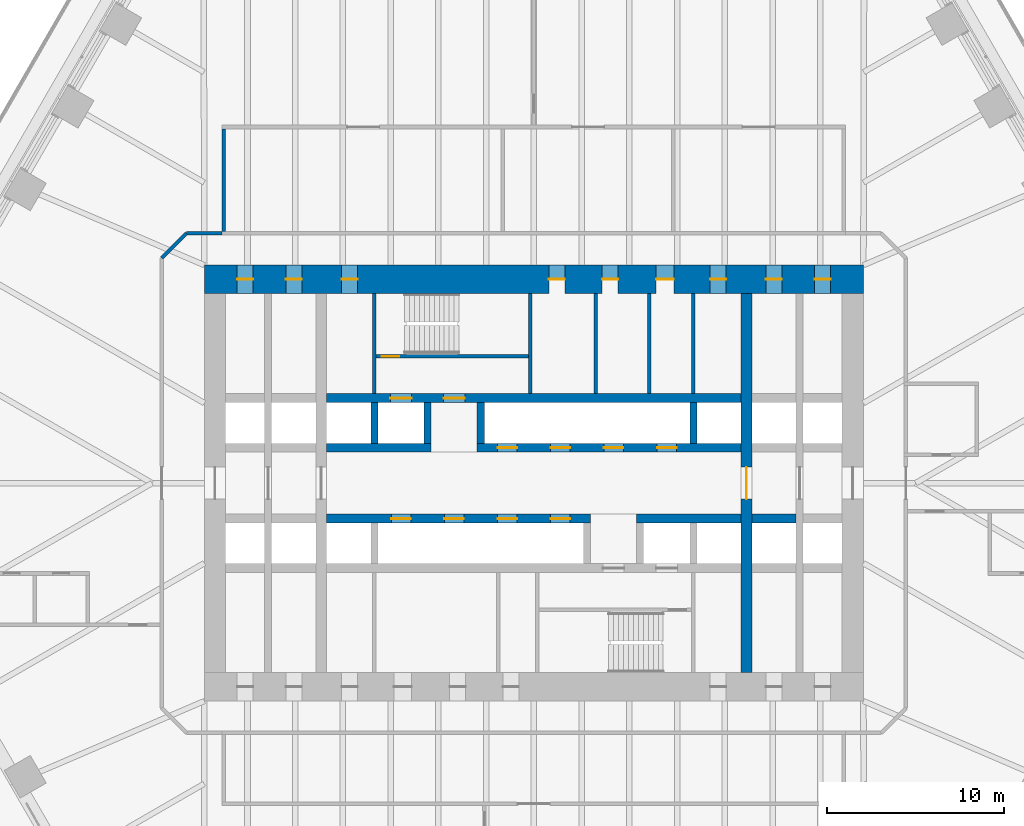
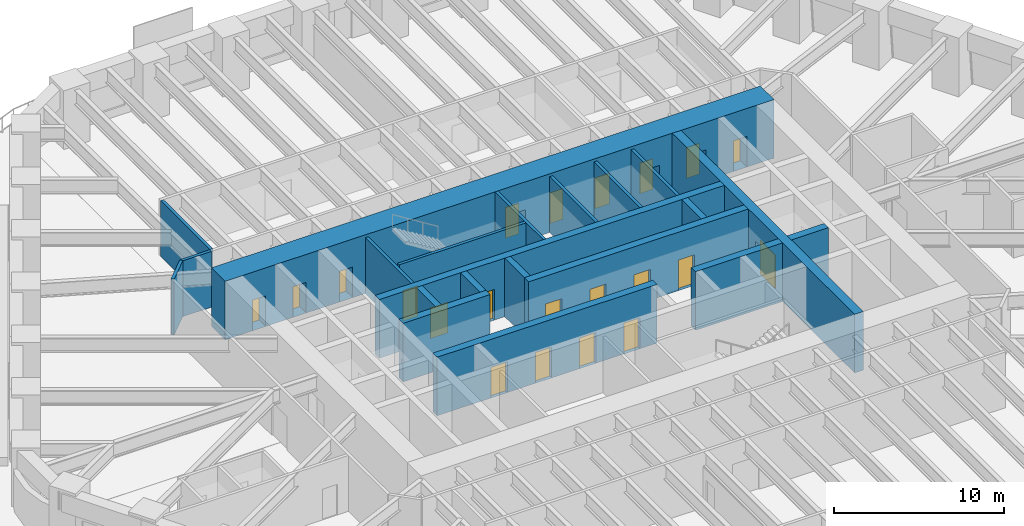
# One storey, part 18 of 23: 21 doors, 21 walls, 21 openings.
"""IFC4 building model written with IfcOpenShell, lengths in metres."""

from ifc_helpers import new_model, si_unit, direction, frame, frame_2d, origin, place, context, subcontext, project, spatial, rectangle, extrude, material, layer, layer_set, type_object, element, fill, save


model = new_model("IFC4")

# Units and contexts
model_context = context("Model", 3, precision=1e-05, world=origin(), true_north=direction((0.0, 1.0)))
body_context = subcontext(model_context, "Body", "Model", "MODEL_VIEW")
ifc_project = project(units=[si_unit("LENGTHUNIT", "METRE"), si_unit("AREAUNIT", "SQUARE_METRE"), si_unit("VOLUMEUNIT", "CUBIC_METRE"), si_unit("PLANEANGLEUNIT", "RADIAN"), si_unit("MASSUNIT", "GRAM", prefix="KILO")], contexts=[model_context])

# Site, building, storey
site_placement = place(None, origin())
site = spatial("IfcSite", under=ifc_project, at=site_placement, CompositionType="ELEMENT")
building_placement = place(site_placement, origin())
building = spatial("IfcBuilding", under=site, at=building_placement, Name="Tarfa Lantern Tower", CompositionType="ELEMENT")
storey_placement = place(building_placement, frame((0.0, 0.0, 99.10009765625)))
storey = spatial("IfcBuildingStorey", under=building, at=storey_placement, Name="L22", CompositionType="ELEMENT", Elevation=99.10009765625)

# Walls
ifc_material_1 = material(Name="Concrete blockwork", Category="masonry")
ifc_layer_1 = layer(ifc_material_1, 0.199951171875)
ifc_layer_set_1 = layer_set([ifc_layer_1], Name="IW1 BLOCKWORK PARTITION 200 EI 120")
wall_type_1 = type_object("IfcWallType", Name="IW1 BLOCKWORK PARTITION 200 EI 120", PredefinedType="PARTITIONING", material=ifc_layer_set_1)
for number, where, z_axis, x_axis, name in (
    (1, (-9.0, 5.050048828125, 0.0), (0.0, 0.0, 1.0), (0.0, 1.0, 0.0), "Core partition"),
    (2, (9.0, 5.050048828125, 0.0), (0.0, 0.0, 1.0), (0.0, 1.0, 0.0), "Core partition"),
    (3, (3.5, 5.050048828125, 0.0), (0.0, 0.0, 1.0), (0.0, 1.0, 0.0), "Core partition"),
    (4, (6.5, 5.050048828125, 0.0), (0.0, 0.0, 1.0), (0.0, 1.0, 0.0), "Core partition"),
):
    element("IfcWall", number, at=place(storey_placement, frame(where, z_axis=z_axis, x_axis=x_axis)), inside=storey, type_object=wall_type_1, Name=name, PredefinedType="PARTITIONING", context=body_context, shape_type="SweptSolid", body=[
        extrude(rectangle(XDim=5.64990234375, YDim=0.199951171875, at=frame_2d((2.824951171875, 0.0))), origin(), (0.0, 0.0, 1.0), 4.0),
    ])
ifc_material_2 = material(Name="Gypsum board on steel studs", Category="steel")
ifc_layer_2 = layer(ifc_material_2, 0.2099609375)
ifc_layer_set_2 = layer_set([ifc_layer_2], Name="IW2 ACOUSTIC PARTITION 200")
wall_type_2 = type_object("IfcWallType", Name="IW2 ACOUSTIC PARTITION 200", PredefinedType="PARTITIONING", material=ifc_layer_set_2)
wall_1_placement = place(storey_placement, frame((-17.5, 14.199951171875, 0.0), z_axis=(0.0, 0.0, 1.0), x_axis=(0.0, 1.0, 0.0)))
element("IfcWall", 5, at=wall_1_placement, inside=storey, type_object=wall_type_2, Name="Partition", PredefinedType="PARTITIONING", context=body_context, shape_type="SweptSolid", body=[
    extrude(rectangle(XDim=5.800048828125, YDim=0.199951171875, at=frame_2d((2.89990234375, 0.0))), origin(), (0.0, 0.0, 1.0), 4.0),
])
wall_2_placement = place(storey_placement, frame((-19.60009765625, 14.10009765625, 0.0), z_axis=(0.0, 0.0, 1.0), x_axis=(1.0, 0.0, 0.0)))
element("IfcWall", 6, at=wall_2_placement, inside=storey, type_object=wall_type_2, Name="Partition", PredefinedType="PARTITIONING", context=body_context, shape_type="SweptSolid", body=[
    extrude(rectangle(XDim=2.0, YDim=0.199951171875, at=frame_2d((1.0, 0.0))), origin(), (0.0, 0.0, 1.0), 4.0),
])
wall_3_placement = place(storey_placement, frame((-21.0, 12.699951171875, 0.0), z_axis=(0.0, 0.0, 1.0), x_axis=(0.707045124756, 0.707168432242, 0.0)))
element("IfcWall", 7, at=wall_3_placement, inside=storey, type_object=wall_type_2, Name="Partition", PredefinedType="PARTITIONING", context=body_context, shape_type="SweptSolid", body=[
    extrude(rectangle(XDim=1.97998046875, YDim=0.199951171875, at=frame_2d((0.989990234375, 0.0))), origin(), (0.0, 0.0, 1.0), 4.0),
])
ifc_material_3 = material(Name="Concrete C80/95", Category="concrete")
ifc_layer_3 = layer(ifc_material_3, 0.199951171875)
ifc_layer_set_3 = layer_set([ifc_layer_3], Name="SW12 CORE WALL 200")
wall_type_3 = type_object("IfcWallType", Name="SW12 CORE WALL 200", PredefinedType="SHEAR", material=ifc_layer_set_3)
wall_4_placement = place(storey_placement, frame((-0.199951171875, 5.050048828125, 0.0), z_axis=(0.0, 0.0, 1.0), x_axis=(0.0, 1.0, 0.0)))
element("IfcWall", 8, at=wall_4_placement, inside=storey, type_object=wall_type_3, Name="Core wall stair shaft N", PredefinedType="SHEAR", context=body_context, shape_type="SweptSolid", body=[
    extrude(rectangle(XDim=5.64990234375, YDim=0.199951171875, at=frame_2d((2.824951171875, 0.0))), origin(), (0.0, 0.0, 1.0), 4.199951171875),
])

# Wall, opening, door
wall_5_placement = place(storey_placement, frame((-8.89990234375, 7.14990234375, 0.0), z_axis=(0.0, 0.0, 1.0), x_axis=(1.0, 0.0, 0.0)))
wall_5 = element("IfcWall", 9, at=wall_5_placement, inside=storey, type_object=wall_type_3, Name="Core wall stair partition N", PredefinedType="SHEAR", context=body_context, shape_type="SweptSolid", body=[
    extrude(rectangle(XDim=8.599853515625, YDim=0.199951171875, at=frame_2d((4.2998046875, 0.0))), origin(), (0.0, 0.0, 1.0), 4.199951171875),
])
opening_1_placement = place(wall_5_placement, frame((0.300048828125, 0.0, 0.0)))
opening_1 = element("IfcOpeningElement", 10, at=opening_1_placement, cuts=wall_5, Name="Opening D23", PredefinedType="OPENING", context=body_context, shape_type="SweptSolid", body=[
    extrude(rectangle(XDim=1.0, YDim=2.199951171875, at=frame_2d((0.5, 1.10009765625))), frame((0.0, 0.10986328125, 0.0), z_axis=(0.0, -1.0, 0.0), x_axis=(1.0, 0.0, 0.0)), (0.0, 0.0, 1.0), 0.219970703125),
])
ifc_material_4 = material(Name="Steel fire door", Category="steel")
door_type_1 = type_object("IfcDoorType", Name="DF2 STAIR DOOR 1000x2200", OperationType="SINGLE_SWING_LEFT", PredefinedType="DOOR", material=ifc_material_4)
door_1_placement = place(opening_1_placement, origin())
door_1 = element("IfcDoor", 11, at=door_1_placement, inside=storey, type_object=door_type_1, Name="Stair door", OperationType="SINGLE_SWING_RIGHT", OverallHeight=2.199951171875, OverallWidth=1.0, PredefinedType="DOOR", context=body_context, shape_type="SweptSolid", body=[
    extrude(rectangle(XDim=1.0, YDim=2.199951171875, at=frame_2d((0.5, 1.10009765625))), frame((0.0, 0.02490234375, 0.0), z_axis=(0.0, -1.0, 0.0), x_axis=(1.0, 0.0, 0.0)), (0.0, 0.0, 1.0), 0.050048828125),
])
fill(opening_1, door_1)

# Wall
ifc_layer_4 = layer(ifc_material_3, 0.5)
ifc_layer_set_4 = layer_set([ifc_layer_4], Name="SW5 CORE WALL 500")
wall_type_4 = type_object("IfcWallType", Name="SW5 CORE WALL 500", PredefinedType="SHEAR", material=ifc_layer_set_4)
wall_6_placement = place(storey_placement, frame((-11.699951171875, 2.0, 0.0), z_axis=(0.0, 0.0, 1.0), x_axis=(1.0, 0.0, 0.0)))
element("IfcWall", 12, at=wall_6_placement, inside=storey, type_object=wall_type_4, Name="Core wall lobby west N", PredefinedType="SHEAR", context=body_context, shape_type="SweptSolid", body=[
    extrude(rectangle(XDim=5.89990234375, YDim=0.5, at=frame_2d((2.949951171875, 0.0))), origin(), (0.0, 0.0, 1.0), 4.199951171875),
])

# Wall, openings, doors
wall_7_placement = place(storey_placement, frame((-3.199951171875, 2.0, 0.0), z_axis=(0.0, 0.0, 1.0), x_axis=(1.0, 0.0, 0.0)))
wall_7 = element("IfcWall", 13, at=wall_7_placement, inside=storey, type_object=wall_type_4, Name="Core wall lobby east N", PredefinedType="SHEAR", context=body_context, shape_type="SweptSolid", body=[
    extrude(rectangle(XDim=14.89990234375, YDim=0.5, at=frame_2d((7.449951171875, 0.0))), origin(), (0.0, 0.0, 1.0), 4.199951171875),
])
opening_2_placement = place(wall_7_placement, frame((1.14990234375, 0.0, 0.0)))
opening_2 = element("IfcOpeningElement", 14, at=opening_2_placement, cuts=wall_7, Name="Opening LD03", PredefinedType="OPENING", context=body_context, shape_type="SweptSolid", body=[
    extrude(rectangle(XDim=1.10009765625, YDim=2.199951171875, at=frame_2d((0.550048828125, 1.10009765625))), frame((0.0, 0.260009765625, 0.0), z_axis=(0.0, -1.0, 0.0), x_axis=(1.0, 0.0, 0.0)), (0.0, 0.0, 1.0), 0.52001953125),
])
opening_3_placement = place(wall_7_placement, frame((4.14990234375, 0.0, 0.0)))
opening_3 = element("IfcOpeningElement", 15, at=opening_3_placement, cuts=wall_7, Name="Opening LD04", PredefinedType="OPENING", context=body_context, shape_type="SweptSolid", body=[
    extrude(rectangle(XDim=1.10009765625, YDim=2.199951171875, at=frame_2d((0.550048828125, 1.10009765625))), frame((0.0, 0.260009765625, 0.0), z_axis=(0.0, -1.0, 0.0), x_axis=(1.0, 0.0, 0.0)), (0.0, 0.0, 1.0), 0.52001953125),
])
opening_4_placement = place(wall_7_placement, frame((7.14990234375, 0.0, 0.0)))
opening_4 = element("IfcOpeningElement", 16, at=opening_4_placement, cuts=wall_7, Name="Opening LD05", PredefinedType="OPENING", context=body_context, shape_type="SweptSolid", body=[
    extrude(rectangle(XDim=1.10009765625, YDim=2.199951171875, at=frame_2d((0.550048828125, 1.10009765625))), frame((0.0, 0.260009765625, 0.0), z_axis=(0.0, -1.0, 0.0), x_axis=(1.0, 0.0, 0.0)), (0.0, 0.0, 1.0), 0.52001953125),
])
opening_5_placement = place(wall_7_placement, frame((10.14990234375, 0.0, 0.0)))
opening_5 = element("IfcOpeningElement", 17, at=opening_5_placement, cuts=wall_7, Name="Opening LD06", PredefinedType="OPENING", context=body_context, shape_type="SweptSolid", body=[
    extrude(rectangle(XDim=1.10009765625, YDim=2.199951171875, at=frame_2d((0.550048828125, 1.10009765625))), frame((0.0, 0.260009765625, 0.0), z_axis=(0.0, -1.0, 0.0), x_axis=(1.0, 0.0, 0.0)), (0.0, 0.0, 1.0), 0.52001953125),
])
ifc_material_5 = material(Name="Stainless steel lift door", Category="steel")
door_type_2 = type_object("IfcDoorType", Name="LD2 LIFT LANDING DOOR 1100x2200", OperationType="SLIDING_TO_LEFT", PredefinedType="DOOR", material=ifc_material_5)
door_2_placement = place(opening_2_placement, frame((1.10009765625, 0.0, 0.0), z_axis=(0.0, 0.0, 1.0), x_axis=(-1.0, 0.0, 0.0)))
door_2 = element("IfcDoor", 18, at=door_2_placement, inside=storey, type_object=door_type_2, Name="Landing door PA1", OperationType="SLIDING_TO_LEFT", OverallHeight=2.199951171875, OverallWidth=1.10009765625, PredefinedType="DOOR", context=body_context, shape_type="SweptSolid", body=[
    extrude(rectangle(XDim=1.10009765625, YDim=2.199951171875, at=frame_2d((0.550048828125, 1.10009765625))), frame((0.0, 0.02490234375, 0.0), z_axis=(0.0, -1.0, 0.0), x_axis=(1.0, 0.0, 0.0)), (0.0, 0.0, 1.0), 0.050048828125),
])
fill(opening_2, door_2)
door_3_placement = place(opening_3_placement, frame((1.10009765625, 0.0, 0.0), z_axis=(0.0, 0.0, 1.0), x_axis=(-1.0, 0.0, 0.0)))
door_3 = element("IfcDoor", 19, at=door_3_placement, inside=storey, type_object=door_type_2, Name="Landing door PA2", OperationType="SLIDING_TO_LEFT", OverallHeight=2.199951171875, OverallWidth=1.10009765625, PredefinedType="DOOR", context=body_context, shape_type="SweptSolid", body=[
    extrude(rectangle(XDim=1.10009765625, YDim=2.199951171875, at=frame_2d((0.550048828125, 1.10009765625))), frame((0.0, 0.02490234375, 0.0), z_axis=(0.0, -1.0, 0.0), x_axis=(1.0, 0.0, 0.0)), (0.0, 0.0, 1.0), 0.050048828125),
])
fill(opening_3, door_3)
door_4_placement = place(opening_4_placement, frame((1.10009765625, 0.0, 0.0), z_axis=(0.0, 0.0, 1.0), x_axis=(-1.0, 0.0, 0.0)))
door_4 = element("IfcDoor", 20, at=door_4_placement, inside=storey, type_object=door_type_2, Name="Landing door PA3", OperationType="SLIDING_TO_LEFT", OverallHeight=2.199951171875, OverallWidth=1.10009765625, PredefinedType="DOOR", context=body_context, shape_type="SweptSolid", body=[
    extrude(rectangle(XDim=1.10009765625, YDim=2.199951171875, at=frame_2d((0.550048828125, 1.10009765625))), frame((0.0, 0.02490234375, 0.0), z_axis=(0.0, -1.0, 0.0), x_axis=(1.0, 0.0, 0.0)), (0.0, 0.0, 1.0), 0.050048828125),
])
fill(opening_4, door_4)
door_5_placement = place(opening_5_placement, frame((1.10009765625, 0.0, 0.0), z_axis=(0.0, 0.0, 1.0), x_axis=(-1.0, 0.0, 0.0)))
door_5 = element("IfcDoor", 21, at=door_5_placement, inside=storey, type_object=door_type_2, Name="Landing door PA4", OperationType="SLIDING_TO_LEFT", OverallHeight=2.199951171875, OverallWidth=1.10009765625, PredefinedType="DOOR", context=body_context, shape_type="SweptSolid", body=[
    extrude(rectangle(XDim=1.10009765625, YDim=2.199951171875, at=frame_2d((0.550048828125, 1.10009765625))), frame((0.0, 0.02490234375, 0.0), z_axis=(0.0, -1.0, 0.0), x_axis=(1.0, 0.0, 0.0)), (0.0, 0.0, 1.0), 0.050048828125),
])
fill(opening_5, door_5)

wall_8_placement = place(storey_placement, frame((-11.699951171875, 4.800048828125, 0.0), z_axis=(0.0, 0.0, 1.0), x_axis=(1.0, 0.0, 0.0)))
wall_8 = element("IfcWall", 22, at=wall_8_placement, inside=storey, type_object=wall_type_4, Name="Core wall rear N", PredefinedType="SHEAR", context=body_context, shape_type="SweptSolid", body=[
    extrude(rectangle(XDim=23.39990234375, YDim=0.5, at=frame_2d((11.699951171875, 0.0))), origin(), (0.0, 0.0, 1.0), 4.199951171875),
])
opening_6_placement = place(wall_8_placement, frame((6.60009765625, 0.0, 0.0)))
opening_6 = element("IfcOpeningElement", 23, at=opening_6_placement, cuts=wall_8, Name="Opening D13", PredefinedType="OPENING", context=body_context, shape_type="SweptSolid", body=[
    extrude(rectangle(XDim=1.199951171875, YDim=2.199951171875, at=frame_2d((0.60009765625, 1.10009765625))), frame((0.0, 0.260009765625, 0.0), z_axis=(0.0, -1.0, 0.0), x_axis=(1.0, 0.0, 0.0)), (0.0, 0.0, 1.0), 0.52001953125),
])
opening_7_placement = place(wall_8_placement, frame((3.60009765625, 0.0, 0.0)))
opening_7 = element("IfcOpeningElement", 24, at=opening_7_placement, cuts=wall_8, Name="Opening LD01", PredefinedType="OPENING", context=body_context, shape_type="SweptSolid", body=[
    extrude(rectangle(XDim=1.199951171875, YDim=2.199951171875, at=frame_2d((0.60009765625, 1.10009765625))), frame((0.0, 0.260009765625, 0.0), z_axis=(0.0, -1.0, 0.0), x_axis=(1.0, 0.0, 0.0)), (0.0, 0.0, 1.0), 0.52001953125),
])
door_type_3 = type_object("IfcDoorType", Name="DF1 FIREFIGHTING LOBBY DOOR 1200x2200", OperationType="SINGLE_SWING_LEFT", PredefinedType="DOOR", material=ifc_material_4)
door_6_placement = place(opening_6_placement, origin())
door_6 = element("IfcDoor", 25, at=door_6_placement, inside=storey, type_object=door_type_3, Name="Firefighting lobby door", OperationType="SINGLE_SWING_LEFT", OverallHeight=2.199951171875, OverallWidth=1.199951171875, PredefinedType="DOOR", context=body_context, shape_type="SweptSolid", body=[
    extrude(rectangle(XDim=1.199951171875, YDim=2.199951171875, at=frame_2d((0.60009765625, 1.10009765625))), frame((0.0, 0.02490234375, 0.0), z_axis=(0.0, -1.0, 0.0), x_axis=(1.0, 0.0, 0.0)), (0.0, 0.0, 1.0), 0.050048828125),
])
fill(opening_6, door_6)
door_type_4 = type_object("IfcDoorType", Name="LD1 LIFT LANDING DOOR 1200x2200", OperationType="SLIDING_TO_LEFT", PredefinedType="DOOR", material=ifc_material_5)
door_7_placement = place(opening_7_placement, origin())
door_7 = element("IfcDoor", 26, at=door_7_placement, inside=storey, type_object=door_type_4, Name="Landing door FL1", OperationType="SLIDING_TO_LEFT", OverallHeight=2.199951171875, OverallWidth=1.199951171875, PredefinedType="DOOR", context=body_context, shape_type="SweptSolid", body=[
    extrude(rectangle(XDim=1.199951171875, YDim=2.199951171875, at=frame_2d((0.60009765625, 1.10009765625))), frame((0.0, 0.02490234375, 0.0), z_axis=(0.0, -1.0, 0.0), x_axis=(1.0, 0.0, 0.0)), (0.0, 0.0, 1.0), 0.050048828125),
])
fill(opening_7, door_7)

# Walls
wall_9_placement = place(storey_placement, frame((14.800048828125, -2.0, 0.0), z_axis=(0.0, 0.0, 1.0), x_axis=(-1.0, 0.0, 0.0)))
element("IfcWall", 27, at=wall_9_placement, inside=storey, type_object=wall_type_4, Name="Core wall lobby west S", PredefinedType="SHEAR", context=body_context, shape_type="SweptSolid", body=[
    extrude(rectangle(XDim=2.5, YDim=0.5, at=frame_2d((1.25, 0.0))), origin(), (0.0, 0.0, 1.0), 4.199951171875),
])
wall_10_placement = place(storey_placement, frame((11.699951171875, -2.0, 0.0), z_axis=(0.0, 0.0, 1.0), x_axis=(-1.0, 0.0, 0.0)))
element("IfcWall", 28, at=wall_10_placement, inside=storey, type_object=wall_type_4, Name="Core wall lobby west S", PredefinedType="SHEAR", context=body_context, shape_type="SweptSolid", body=[
    extrude(rectangle(XDim=5.89990234375, YDim=0.5, at=frame_2d((2.949951171875, 0.0))), origin(), (0.0, 0.0, 1.0), 4.199951171875),
])

# Wall, openings, doors
wall_11_placement = place(storey_placement, frame((3.199951171875, -2.0, 0.0), z_axis=(0.0, 0.0, 1.0), x_axis=(-1.0, 0.0, 0.0)))
wall_11 = element("IfcWall", 29, at=wall_11_placement, inside=storey, type_object=wall_type_4, Name="Core wall lobby east S", PredefinedType="SHEAR", context=body_context, shape_type="SweptSolid", body=[
    extrude(rectangle(XDim=14.89990234375, YDim=0.5, at=frame_2d((7.449951171875, 0.0))), origin(), (0.0, 0.0, 1.0), 4.199951171875),
])
opening_8_placement = place(wall_11_placement, frame((1.14990234375, 0.0, 0.0)))
opening_8 = element("IfcOpeningElement", 30, at=opening_8_placement, cuts=wall_11, Name="Opening LD07", PredefinedType="OPENING", context=body_context, shape_type="SweptSolid", body=[
    extrude(rectangle(XDim=1.10009765625, YDim=2.199951171875, at=frame_2d((0.550048828125, 1.10009765625))), frame((0.0, 0.260009765625, 0.0), z_axis=(0.0, -1.0, 0.0), x_axis=(1.0, 0.0, 0.0)), (0.0, 0.0, 1.0), 0.52001953125),
])
opening_9_placement = place(wall_11_placement, frame((4.14990234375, 0.0, 0.0)))
opening_9 = element("IfcOpeningElement", 31, at=opening_9_placement, cuts=wall_11, Name="Opening LD08", PredefinedType="OPENING", context=body_context, shape_type="SweptSolid", body=[
    extrude(rectangle(XDim=1.10009765625, YDim=2.199951171875, at=frame_2d((0.550048828125, 1.10009765625))), frame((0.0, 0.260009765625, 0.0), z_axis=(0.0, -1.0, 0.0), x_axis=(1.0, 0.0, 0.0)), (0.0, 0.0, 1.0), 0.52001953125),
])
opening_10_placement = place(wall_11_placement, frame((7.14990234375, 0.0, 0.0)))
opening_10 = element("IfcOpeningElement", 32, at=opening_10_placement, cuts=wall_11, Name="Opening LD09", PredefinedType="OPENING", context=body_context, shape_type="SweptSolid", body=[
    extrude(rectangle(XDim=1.10009765625, YDim=2.199951171875, at=frame_2d((0.550048828125, 1.10009765625))), frame((0.0, 0.260009765625, 0.0), z_axis=(0.0, -1.0, 0.0), x_axis=(1.0, 0.0, 0.0)), (0.0, 0.0, 1.0), 0.52001953125),
])
opening_11_placement = place(wall_11_placement, frame((10.14990234375, 0.0, 0.0)))
opening_11 = element("IfcOpeningElement", 33, at=opening_11_placement, cuts=wall_11, Name="Opening LD10", PredefinedType="OPENING", context=body_context, shape_type="SweptSolid", body=[
    extrude(rectangle(XDim=1.10009765625, YDim=2.199951171875, at=frame_2d((0.550048828125, 1.10009765625))), frame((0.0, 0.260009765625, 0.0), z_axis=(0.0, -1.0, 0.0), x_axis=(1.0, 0.0, 0.0)), (0.0, 0.0, 1.0), 0.52001953125),
])
door_8_placement = place(opening_8_placement, frame((1.10009765625, 0.0, 0.0), z_axis=(0.0, 0.0, 1.0), x_axis=(-1.0, 0.0, 0.0)))
door_8 = element("IfcDoor", 34, at=door_8_placement, inside=storey, type_object=door_type_2, Name="Landing door PA5", OperationType="SLIDING_TO_LEFT", OverallHeight=2.199951171875, OverallWidth=1.10009765625, PredefinedType="DOOR", context=body_context, shape_type="SweptSolid", body=[
    extrude(rectangle(XDim=1.10009765625, YDim=2.199951171875, at=frame_2d((0.550048828125, 1.10009765625))), frame((0.0, 0.02490234375, 0.0), z_axis=(0.0, -1.0, 0.0), x_axis=(1.0, 0.0, 0.0)), (0.0, 0.0, 1.0), 0.050048828125),
])
fill(opening_8, door_8)
door_9_placement = place(opening_9_placement, frame((1.10009765625, 0.0, 0.0), z_axis=(0.0, 0.0, 1.0), x_axis=(-1.0, 0.0, 0.0)))
door_9 = element("IfcDoor", 35, at=door_9_placement, inside=storey, type_object=door_type_2, Name="Landing door PA6", OperationType="SLIDING_TO_LEFT", OverallHeight=2.199951171875, OverallWidth=1.10009765625, PredefinedType="DOOR", context=body_context, shape_type="SweptSolid", body=[
    extrude(rectangle(XDim=1.10009765625, YDim=2.199951171875, at=frame_2d((0.550048828125, 1.10009765625))), frame((0.0, 0.02490234375, 0.0), z_axis=(0.0, -1.0, 0.0), x_axis=(1.0, 0.0, 0.0)), (0.0, 0.0, 1.0), 0.050048828125),
])
fill(opening_9, door_9)
door_10_placement = place(opening_10_placement, frame((1.10009765625, 0.0, 0.0), z_axis=(0.0, 0.0, 1.0), x_axis=(-1.0, 0.0, 0.0)))
door_10 = element("IfcDoor", 36, at=door_10_placement, inside=storey, type_object=door_type_2, Name="Landing door PA7", OperationType="SLIDING_TO_LEFT", OverallHeight=2.199951171875, OverallWidth=1.10009765625, PredefinedType="DOOR", context=body_context, shape_type="SweptSolid", body=[
    extrude(rectangle(XDim=1.10009765625, YDim=2.199951171875, at=frame_2d((0.550048828125, 1.10009765625))), frame((0.0, 0.02490234375, 0.0), z_axis=(0.0, -1.0, 0.0), x_axis=(1.0, 0.0, 0.0)), (0.0, 0.0, 1.0), 0.050048828125),
])
fill(opening_10, door_10)
door_11_placement = place(opening_11_placement, frame((1.10009765625, 0.0, 0.0), z_axis=(0.0, 0.0, 1.0), x_axis=(-1.0, 0.0, 0.0)))
door_11 = element("IfcDoor", 37, at=door_11_placement, inside=storey, type_object=door_type_2, Name="Landing door PA8", OperationType="SLIDING_TO_LEFT", OverallHeight=2.199951171875, OverallWidth=1.10009765625, PredefinedType="DOOR", context=body_context, shape_type="SweptSolid", body=[
    extrude(rectangle(XDim=1.10009765625, YDim=2.199951171875, at=frame_2d((0.550048828125, 1.10009765625))), frame((0.0, 0.02490234375, 0.0), z_axis=(0.0, -1.0, 0.0), x_axis=(1.0, 0.0, 0.0)), (0.0, 0.0, 1.0), 0.050048828125),
])
fill(opening_11, door_11)

# Walls
ifc_layer_5 = layer(ifc_material_3, 0.39990234375)
ifc_layer_set_5 = layer_set([ifc_layer_5], Name="SW6 CORE WALL 400")
wall_type_5 = type_object("IfcWallType", Name="SW6 CORE WALL 400", PredefinedType="SHEAR", material=ifc_layer_set_5)
for number, where, z_axis, x_axis, name in (
    (38, (-9.0, 2.25, 0.0), (0.0, 0.0, 1.0), (0.0, 1.0, 0.0), "Core wall divider N"),
    (39, (-6.0, 2.25, 0.0), (0.0, 0.0, 1.0), (0.0, 1.0, 0.0), "Core wall divider N"),
    (40, (-3.0, 2.25, 0.0), (0.0, 0.0, 1.0), (0.0, 1.0, 0.0), "Core wall divider N"),
    (41, (9.0, 2.25, 0.0), (0.0, 0.0, 1.0), (0.0, 1.0, 0.0), "Core wall divider N"),
):
    element("IfcWall", number, at=place(storey_placement, frame(where, z_axis=z_axis, x_axis=x_axis)), inside=storey, type_object=wall_type_5, Name=name, PredefinedType="SHEAR", context=body_context, shape_type="SweptSolid", body=[
        extrude(rectangle(XDim=2.300048828125, YDim=0.39990234375, at=frame_2d((1.14990234375, 0.0))), origin(), (0.0, 0.0, 1.0), 4.199951171875),
    ])

# Wall, openings, doors
ifc_layer_6 = layer(ifc_material_3, 1.60009765625)
ifc_layer_set_6 = layer_set([ifc_layer_6], Name="SW7 CORE WALL 1600")
wall_type_6 = type_object("IfcWallType", Name="SW7 CORE WALL 1600", PredefinedType="SHEAR", material=ifc_layer_set_6)
wall_12_placement = place(storey_placement, frame((-18.60009765625, 11.5, 0.0), z_axis=(0.0, 0.0, 1.0), x_axis=(1.0, 0.0, 0.0)))
wall_12 = element("IfcWall", 42, at=wall_12_placement, inside=storey, type_object=wall_type_6, Name="Core wall N", PredefinedType="SHEAR", context=body_context, shape_type="SweptSolid", body=[
    extrude(rectangle(XDim=37.2001953125, YDim=1.60009765625, at=frame_2d((18.60009765625, 0.0))), origin(), (0.0, 0.0, 1.0), 4.199951171875),
])
opening_12_placement = place(wall_12_placement, frame((19.449951171875, 0.0, 0.0)))
opening_12 = element("IfcOpeningElement", 43, at=opening_12_placement, cuts=wall_12, Name="Opening D17", PredefinedType="OPENING", context=body_context, shape_type="SweptSolid", body=[
    extrude(rectangle(XDim=0.89990234375, YDim=2.199951171875, at=frame_2d((0.449951171875, 1.10009765625))), frame((0.0, 0.81005859375, 0.0), z_axis=(0.0, -1.0, 0.0), x_axis=(1.0, 0.0, 0.0)), (0.0, 0.0, 1.0), 1.6201171875),
])
opening_13_placement = place(wall_12_placement, frame((22.449951171875, 0.0, 0.0)))
opening_13 = element("IfcOpeningElement", 44, at=opening_13_placement, cuts=wall_12, Name="Opening D19", PredefinedType="OPENING", context=body_context, shape_type="SweptSolid", body=[
    extrude(rectangle(XDim=0.89990234375, YDim=2.199951171875, at=frame_2d((0.449951171875, 1.10009765625))), frame((0.0, 0.81005859375, 0.0), z_axis=(0.0, -1.0, 0.0), x_axis=(1.0, 0.0, 0.0)), (0.0, 0.0, 1.0), 1.6201171875),
])
opening_14_placement = place(wall_12_placement, frame((25.5, 0.0, 0.0)))
opening_14 = element("IfcOpeningElement", 45, at=opening_14_placement, cuts=wall_12, Name="Opening D21", PredefinedType="OPENING", context=body_context, shape_type="SweptSolid", body=[
    extrude(rectangle(XDim=1.0, YDim=2.199951171875, at=frame_2d((0.5, 1.10009765625))), frame((0.0, 0.81005859375, 0.0), z_axis=(0.0, -1.0, 0.0), x_axis=(1.0, 0.0, 0.0)), (0.0, 0.0, 1.0), 1.6201171875),
])
opening_15_placement = place(wall_12_placement, frame((1.85009765625, 0.0, 0.0)))
opening_15 = element("IfcOpeningElement", 46, at=opening_15_placement, cuts=wall_12, Name="Opening D11", PredefinedType="OPENING", context=body_context, shape_type="SweptSolid", body=[
    extrude(rectangle(XDim=0.89990234375, YDim=2.199951171875, at=frame_2d((0.449951171875, 1.10009765625))), frame((0.0, 0.81005859375, 0.0), z_axis=(0.0, -1.0, 0.0), x_axis=(1.0, 0.0, 0.0)), (0.0, 0.0, 1.0), 1.6201171875),
])
opening_16_placement = place(wall_12_placement, frame((4.60009765625, 0.0, 0.0)))
opening_16 = element("IfcOpeningElement", 47, at=opening_16_placement, cuts=wall_12, Name="Opening D07", PredefinedType="OPENING", context=body_context, shape_type="SweptSolid", body=[
    extrude(rectangle(XDim=0.89990234375, YDim=2.199951171875, at=frame_2d((0.449951171875, 1.10009765625))), frame((0.0, 0.81005859375, 0.0), z_axis=(0.0, -1.0, 0.0), x_axis=(1.0, 0.0, 0.0)), (0.0, 0.0, 1.0), 1.6201171875),
])
opening_17_placement = place(wall_12_placement, frame((7.75, 0.0, 0.0)))
opening_17 = element("IfcOpeningElement", 48, at=opening_17_placement, cuts=wall_12, Name="Opening D09", PredefinedType="OPENING", context=body_context, shape_type="SweptSolid", body=[
    extrude(rectangle(XDim=0.89990234375, YDim=2.199951171875, at=frame_2d((0.449951171875, 1.10009765625))), frame((0.0, 0.81005859375, 0.0), z_axis=(0.0, -1.0, 0.0), x_axis=(1.0, 0.0, 0.0)), (0.0, 0.0, 1.0), 1.6201171875),
])
opening_18_placement = place(wall_12_placement, frame((28.550048828125, 0.0, 0.0)))
opening_18 = element("IfcOpeningElement", 49, at=opening_18_placement, cuts=wall_12, Name="Opening D05", PredefinedType="OPENING", context=body_context, shape_type="SweptSolid", body=[
    extrude(rectangle(XDim=0.89990234375, YDim=2.199951171875, at=frame_2d((0.449951171875, 1.10009765625))), frame((0.0, 0.81005859375, 0.0), z_axis=(0.0, -1.0, 0.0), x_axis=(1.0, 0.0, 0.0)), (0.0, 0.0, 1.0), 1.6201171875),
])
opening_19_placement = place(wall_12_placement, frame((31.699951171875, 0.0, 0.0)))
opening_19 = element("IfcOpeningElement", 50, at=opening_19_placement, cuts=wall_12, Name="Opening D01", PredefinedType="OPENING", context=body_context, shape_type="SweptSolid", body=[
    extrude(rectangle(XDim=0.89990234375, YDim=2.199951171875, at=frame_2d((0.449951171875, 1.10009765625))), frame((0.0, 0.81005859375, 0.0), z_axis=(0.0, -1.0, 0.0), x_axis=(1.0, 0.0, 0.0)), (0.0, 0.0, 1.0), 1.6201171875),
])
opening_20_placement = place(wall_12_placement, frame((34.449951171875, 0.0, 0.0)))
opening_20 = element("IfcOpeningElement", 51, at=opening_20_placement, cuts=wall_12, Name="Opening D03", PredefinedType="OPENING", context=body_context, shape_type="SweptSolid", body=[
    extrude(rectangle(XDim=0.89990234375, YDim=2.199951171875, at=frame_2d((0.449951171875, 1.10009765625))), frame((0.0, 0.81005859375, 0.0), z_axis=(0.0, -1.0, 0.0), x_axis=(1.0, 0.0, 0.0)), (0.0, 0.0, 1.0), 1.6201171875),
])
door_type_5 = type_object("IfcDoorType", Name="DF3 CORE ROOM DOOR 900x2200", OperationType="SINGLE_SWING_LEFT", PredefinedType="DOOR", material=ifc_material_4)
door_12_placement = place(opening_12_placement, frame((0.89990234375, 0.0, 0.0), z_axis=(0.0, 0.0, 1.0), x_axis=(-1.0, 0.0, 0.0)))
door_12 = element("IfcDoor", 52, at=door_12_placement, inside=storey, type_object=door_type_5, Name="Core door", OperationType="SINGLE_SWING_LEFT", OverallHeight=2.199951171875, OverallWidth=0.89990234375, PredefinedType="DOOR", context=body_context, shape_type="SweptSolid", body=[
    extrude(rectangle(XDim=0.89990234375, YDim=2.199951171875, at=frame_2d((0.449951171875, 1.10009765625))), frame((0.0, 0.02490234375, 0.0), z_axis=(0.0, -1.0, 0.0), x_axis=(1.0, 0.0, 0.0)), (0.0, 0.0, 1.0), 0.050048828125),
])
fill(opening_12, door_12)
door_13_placement = place(opening_13_placement, frame((0.89990234375, 0.0, 0.0), z_axis=(0.0, 0.0, 1.0), x_axis=(-1.0, 0.0, 0.0)))
door_13 = element("IfcDoor", 53, at=door_13_placement, inside=storey, type_object=door_type_5, Name="Core door", OperationType="SINGLE_SWING_LEFT", OverallHeight=2.199951171875, OverallWidth=0.89990234375, PredefinedType="DOOR", context=body_context, shape_type="SweptSolid", body=[
    extrude(rectangle(XDim=0.89990234375, YDim=2.199951171875, at=frame_2d((0.449951171875, 1.10009765625))), frame((0.0, 0.02490234375, 0.0), z_axis=(0.0, -1.0, 0.0), x_axis=(1.0, 0.0, 0.0)), (0.0, 0.0, 1.0), 0.050048828125),
])
fill(opening_13, door_13)
door_type_6 = type_object("IfcDoorType", Name="DF4 CORE ROOM DOOR 1000x2200", OperationType="SINGLE_SWING_LEFT", PredefinedType="DOOR", material=ifc_material_4)
door_14_placement = place(opening_14_placement, frame((1.0, 0.0, 0.0), z_axis=(0.0, 0.0, 1.0), x_axis=(-1.0, 0.0, 0.0)))
door_14 = element("IfcDoor", 54, at=door_14_placement, inside=storey, type_object=door_type_6, Name="Core door", OperationType="SINGLE_SWING_LEFT", OverallHeight=2.199951171875, OverallWidth=1.0, PredefinedType="DOOR", context=body_context, shape_type="SweptSolid", body=[
    extrude(rectangle(XDim=1.0, YDim=2.199951171875, at=frame_2d((0.5, 1.10009765625))), frame((0.0, 0.02490234375, 0.0), z_axis=(0.0, -1.0, 0.0), x_axis=(1.0, 0.0, 0.0)), (0.0, 0.0, 1.0), 0.050048828125),
])
fill(opening_14, door_14)
door_type_7 = type_object("IfcDoorType", Name="DF5 RISER DOOR 900x2200", OperationType="SINGLE_SWING_LEFT", PredefinedType="DOOR", material=ifc_material_4)
door_15_placement = place(opening_15_placement, frame((0.89990234375, 0.0, 0.0), z_axis=(0.0, 0.0, 1.0), x_axis=(-1.0, 0.0, 0.0)))
door_15 = element("IfcDoor", 55, at=door_15_placement, inside=storey, type_object=door_type_7, Name="Riser door", OperationType="SINGLE_SWING_LEFT", OverallHeight=2.199951171875, OverallWidth=0.89990234375, PredefinedType="DOOR", context=body_context, shape_type="SweptSolid", body=[
    extrude(rectangle(XDim=0.89990234375, YDim=2.199951171875, at=frame_2d((0.449951171875, 1.10009765625))), frame((0.0, 0.02490234375, 0.0), z_axis=(0.0, -1.0, 0.0), x_axis=(1.0, 0.0, 0.0)), (0.0, 0.0, 1.0), 0.050048828125),
])
fill(opening_15, door_15)
door_16_placement = place(opening_16_placement, frame((0.89990234375, 0.0, 0.0), z_axis=(0.0, 0.0, 1.0), x_axis=(-1.0, 0.0, 0.0)))
door_16 = element("IfcDoor", 56, at=door_16_placement, inside=storey, type_object=door_type_7, Name="Riser door", OperationType="SINGLE_SWING_LEFT", OverallHeight=2.199951171875, OverallWidth=0.89990234375, PredefinedType="DOOR", context=body_context, shape_type="SweptSolid", body=[
    extrude(rectangle(XDim=0.89990234375, YDim=2.199951171875, at=frame_2d((0.449951171875, 1.10009765625))), frame((0.0, 0.02490234375, 0.0), z_axis=(0.0, -1.0, 0.0), x_axis=(1.0, 0.0, 0.0)), (0.0, 0.0, 1.0), 0.050048828125),
])
fill(opening_16, door_16)
door_17_placement = place(opening_17_placement, frame((0.89990234375, 0.0, 0.0), z_axis=(0.0, 0.0, 1.0), x_axis=(-1.0, 0.0, 0.0)))
door_17 = element("IfcDoor", 57, at=door_17_placement, inside=storey, type_object=door_type_7, Name="Riser door", OperationType="SINGLE_SWING_LEFT", OverallHeight=2.199951171875, OverallWidth=0.89990234375, PredefinedType="DOOR", context=body_context, shape_type="SweptSolid", body=[
    extrude(rectangle(XDim=0.89990234375, YDim=2.199951171875, at=frame_2d((0.449951171875, 1.10009765625))), frame((0.0, 0.02490234375, 0.0), z_axis=(0.0, -1.0, 0.0), x_axis=(1.0, 0.0, 0.0)), (0.0, 0.0, 1.0), 0.050048828125),
])
fill(opening_17, door_17)
door_18_placement = place(opening_18_placement, frame((0.89990234375, 0.0, 0.0), z_axis=(0.0, 0.0, 1.0), x_axis=(-1.0, 0.0, 0.0)))
door_18 = element("IfcDoor", 58, at=door_18_placement, inside=storey, type_object=door_type_7, Name="Riser door", OperationType="SINGLE_SWING_RIGHT", OverallHeight=2.199951171875, OverallWidth=0.89990234375, PredefinedType="DOOR", context=body_context, shape_type="SweptSolid", body=[
    extrude(rectangle(XDim=0.89990234375, YDim=2.199951171875, at=frame_2d((0.449951171875, 1.10009765625))), frame((0.0, 0.02490234375, 0.0), z_axis=(0.0, -1.0, 0.0), x_axis=(1.0, 0.0, 0.0)), (0.0, 0.0, 1.0), 0.050048828125),
])
fill(opening_18, door_18)
door_19_placement = place(opening_19_placement, frame((0.89990234375, 0.0, 0.0), z_axis=(0.0, 0.0, 1.0), x_axis=(-1.0, 0.0, 0.0)))
door_19 = element("IfcDoor", 59, at=door_19_placement, inside=storey, type_object=door_type_7, Name="Riser door", OperationType="SINGLE_SWING_RIGHT", OverallHeight=2.199951171875, OverallWidth=0.89990234375, PredefinedType="DOOR", context=body_context, shape_type="SweptSolid", body=[
    extrude(rectangle(XDim=0.89990234375, YDim=2.199951171875, at=frame_2d((0.449951171875, 1.10009765625))), frame((0.0, 0.02490234375, 0.0), z_axis=(0.0, -1.0, 0.0), x_axis=(1.0, 0.0, 0.0)), (0.0, 0.0, 1.0), 0.050048828125),
])
fill(opening_19, door_19)
door_20_placement = place(opening_20_placement, frame((0.89990234375, 0.0, 0.0), z_axis=(0.0, 0.0, 1.0), x_axis=(-1.0, 0.0, 0.0)))
door_20 = element("IfcDoor", 60, at=door_20_placement, inside=storey, type_object=door_type_7, Name="Riser door", OperationType="SINGLE_SWING_RIGHT", OverallHeight=2.199951171875, OverallWidth=0.89990234375, PredefinedType="DOOR", context=body_context, shape_type="SweptSolid", body=[
    extrude(rectangle(XDim=0.89990234375, YDim=2.199951171875, at=frame_2d((0.449951171875, 1.10009765625))), frame((0.0, 0.02490234375, 0.0), z_axis=(0.0, -1.0, 0.0), x_axis=(1.0, 0.0, 0.0)), (0.0, 0.0, 1.0), 0.050048828125),
])
fill(opening_20, door_20)

# Wall, opening, door
ifc_layer_7 = layer(ifc_material_3, 0.60009765625)
ifc_layer_set_7 = layer_set([ifc_layer_7], Name="SW9 CORE WALL 600")
wall_type_7 = type_object("IfcWallType", Name="SW9 CORE WALL 600", PredefinedType="SHEAR", material=ifc_layer_set_7)
wall_13_placement = place(storey_placement, frame((12.0, -10.699951171875, 0.0), z_axis=(0.0, 0.0, 1.0), x_axis=(0.0, 1.0, 0.0)))
wall_13 = element("IfcWall", 61, at=wall_13_placement, inside=storey, type_object=wall_type_7, Name="Core wall cross 12 m east", PredefinedType="SHEAR", context=body_context, shape_type="SweptSolid", body=[
    extrude(rectangle(XDim=21.39990234375, YDim=0.60009765625, at=frame_2d((10.699951171875, 0.0))), origin(), (0.0, 0.0, 1.0), 4.199951171875),
])
opening_21_placement = place(wall_13_placement, frame((9.800048828125, 0.0, 0.0)))
opening_21 = element("IfcOpeningElement", 62, at=opening_21_placement, cuts=wall_13, Name="Opening D25", PredefinedType="OPENING", context=body_context, shape_type="SweptSolid", body=[
    extrude(rectangle(XDim=1.800048828125, YDim=2.39990234375, at=frame_2d((0.89990234375, 1.199951171875))), frame((0.0, 0.31005859375, 0.0), z_axis=(0.0, -1.0, 0.0), x_axis=(1.0, 0.0, 0.0)), (0.0, 0.0, 1.0), 0.6201171875),
])
door_type_8 = type_object("IfcDoorType", Name="DL1 LOBBY DOOR 1800x2400", OperationType="DOUBLE_DOOR_SINGLE_SWING", PredefinedType="DOOR", material=ifc_material_4)
door_21_placement = place(opening_21_placement, origin())
door_21 = element("IfcDoor", 63, at=door_21_placement, inside=storey, type_object=door_type_8, Name="Lift lobby door", OperationType="DOUBLE_DOOR_SINGLE_SWING", OverallHeight=2.39990234375, OverallWidth=1.800048828125, PredefinedType="DOOR", context=body_context, shape_type="SweptSolid", body=[
    extrude(rectangle(XDim=1.800048828125, YDim=2.39990234375, at=frame_2d((0.89990234375, 1.199951171875))), frame((0.0, 0.02490234375, 0.0), z_axis=(0.0, -1.0, 0.0), x_axis=(1.0, 0.0, 0.0)), (0.0, 0.0, 1.0), 0.050048828125),
])
fill(opening_21, door_21)

save(model, "model.ifc")
